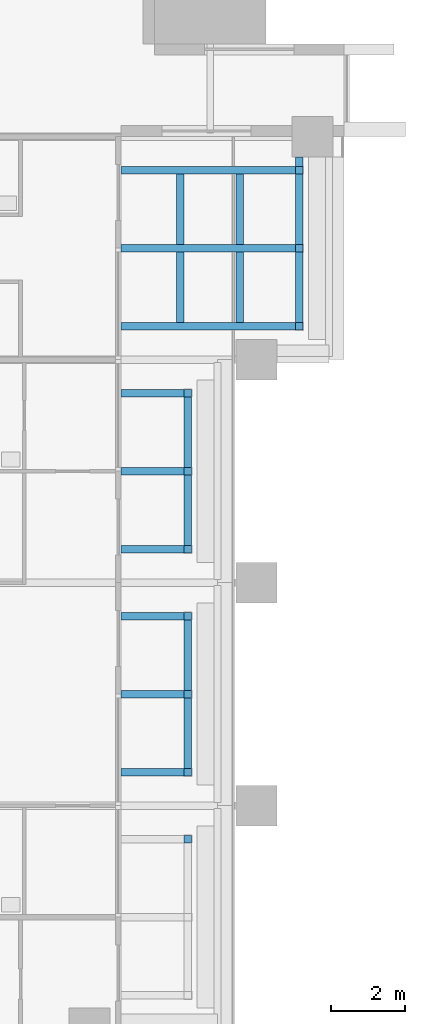
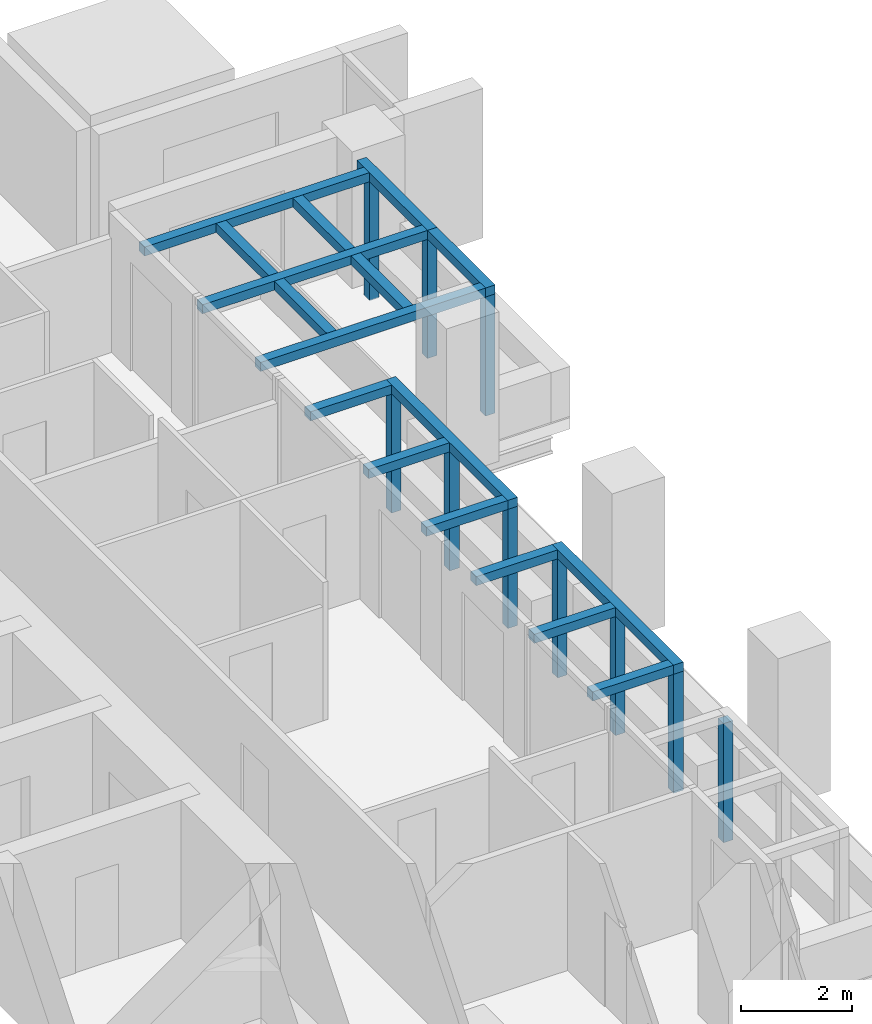
# One storey, part 13 of 16: 27 discrete accessories.
"""IFC4 building model written with IfcOpenShell, lengths in metres."""

from ifc_helpers import new_model, si_unit, direction, frame, origin, origin_2d, place, context, subcontext, project, spatial, rectangle, extrude, element, save


model = new_model("IFC4")

# Units and contexts
model_context = context("Model", 3, precision=1e-05, world=origin(), true_north=direction((0.0, 1.0)))
body_context = subcontext(model_context, "Body", "Model", "MODEL_VIEW")
ifc_project = project(units=[si_unit("LENGTHUNIT", "METRE"), si_unit("AREAUNIT", "SQUARE_METRE"), si_unit("VOLUMEUNIT", "CUBIC_METRE"), si_unit("PLANEANGLEUNIT", "RADIAN"), si_unit("MASSUNIT", "GRAM", prefix="KILO")], contexts=[model_context])

# Site, building, storey
site_placement = place(None, origin())
site = spatial("IfcSite", under=ifc_project, at=site_placement, CompositionType="ELEMENT")
building_placement = place(site_placement, origin())
building = spatial("IfcBuilding", under=site, at=building_placement, Name="Amberfall Residences", CompositionType="ELEMENT")
storey_placement = place(building_placement, frame((0.0, 0.0, 108.39990234375)))
storey = spatial("IfcBuildingStorey", under=building, at=storey_placement, Name="L29", CompositionType="ELEMENT", Elevation=108.39990234375)

# Discrete accessories
for number, where, z_axis, x_axis, name in (
    (1, (95.800048828125, 41.5, 0.000244140625), (0.0, 0.0, 1.0), (1.0, 0.0, 0.0), "Trellis post L29 E2.3"),
    (2, (95.800048828125, 43.300048828125, 0.000244140625), (0.0, 0.0, 1.0), (1.0, 0.0, 0.0), "Trellis post L29 E3.1"),
    (3, (95.800048828125, 45.39990234375, 0.000244140625), (0.0, 0.0, 1.0), (1.0, 0.0, 0.0), "Trellis post L29 E3.2"),
    (4, (95.800048828125, 47.5, 0.000244140625), (0.0, 0.0, 1.0), (1.0, 0.0, 0.0), "Trellis post L29 E3.3"),
):
    element("IfcDiscreteAccessory", number, at=place(storey_placement, frame(where, z_axis=z_axis, x_axis=x_axis)), inside=storey, Name=name, ObjectType="TRELLIS POST", PredefinedType="USERDEFINED", context=body_context, shape_type="SweptSolid", body=[
        extrude(rectangle(XDim=0.199951171875, YDim=0.199951171875, at=origin_2d()), origin(), (0.0, 0.0, 1.0), 2.6298828125),
    ])
discrete_accessory_1_placement = place(storey_placement, frame((95.800048828125, 45.39990234375, 2.6298828125), z_axis=(0.0, 0.0, 1.0), x_axis=(0.0, 1.0, 0.0)))
element("IfcDiscreteAccessory", 5, at=discrete_accessory_1_placement, inside=storey, Name="Trellis beam L29 E3.e1", ObjectType="TRELLIS BEAM", PredefinedType="USERDEFINED", context=body_context, shape_type="SweptSolid", body=[
    extrude(rectangle(XDim=4.39990234375, YDim=0.199951171875, at=origin_2d()), origin(), (0.0, 0.0, 1.0), 0.199951171875),
])
for number, where, z_axis, x_axis, name in (
    (6, (94.85009765625, 43.300048828125, 2.6298828125), (0.0, 0.0, 1.0), (-1.0, 0.0, 0.0), "Trellis beam L29 E3.b1"),
    (7, (94.85009765625, 45.39990234375, 2.6298828125), (0.0, 0.0, 1.0), (-1.0, 0.0, 0.0), "Trellis beam L29 E3.b2"),
    (8, (94.85009765625, 47.5, 2.6298828125), (0.0, 0.0, 1.0), (-1.0, 0.0, 0.0), "Trellis beam L29 E3.b3"),
):
    element("IfcDiscreteAccessory", number, at=place(storey_placement, frame(where, z_axis=z_axis, x_axis=x_axis)), inside=storey, Name=name, ObjectType="TRELLIS BEAM", PredefinedType="USERDEFINED", context=body_context, shape_type="SweptSolid", body=[
        extrude(rectangle(XDim=1.699951171875, YDim=0.199951171875, at=origin_2d()), origin(), (0.0, 0.0, 1.0), 0.199951171875),
    ])
for number, where, z_axis, x_axis, name in (
    (9, (95.800048828125, 49.300048828125, 0.000244140625), (0.0, 0.0, 1.0), (1.0, 0.0, 0.0), "Trellis post L29 E4.1"),
    (10, (95.800048828125, 51.39990234375, 0.000244140625), (0.0, 0.0, 1.0), (1.0, 0.0, 0.0), "Trellis post L29 E4.2"),
    (11, (95.800048828125, 53.5, 0.000244140625), (0.0, 0.0, 1.0), (1.0, 0.0, 0.0), "Trellis post L29 E4.3"),
):
    element("IfcDiscreteAccessory", number, at=place(storey_placement, frame(where, z_axis=z_axis, x_axis=x_axis)), inside=storey, Name=name, ObjectType="TRELLIS POST", PredefinedType="USERDEFINED", context=body_context, shape_type="SweptSolid", body=[
        extrude(rectangle(XDim=0.199951171875, YDim=0.199951171875, at=origin_2d()), origin(), (0.0, 0.0, 1.0), 2.6298828125),
    ])
discrete_accessory_2_placement = place(storey_placement, frame((95.800048828125, 51.39990234375, 2.6298828125), z_axis=(0.0, 0.0, 1.0), x_axis=(0.0, 1.0, 0.0)))
element("IfcDiscreteAccessory", 12, at=discrete_accessory_2_placement, inside=storey, Name="Trellis beam L29 E4.e1", ObjectType="TRELLIS BEAM", PredefinedType="USERDEFINED", context=body_context, shape_type="SweptSolid", body=[
    extrude(rectangle(XDim=4.39990234375, YDim=0.199951171875, at=origin_2d()), origin(), (0.0, 0.0, 1.0), 0.199951171875),
])
for number, where, z_axis, x_axis, name in (
    (13, (94.85009765625, 49.300048828125, 2.6298828125), (0.0, 0.0, 1.0), (-1.0, 0.0, 0.0), "Trellis beam L29 E4.b1"),
    (14, (94.85009765625, 51.39990234375, 2.6298828125), (0.0, 0.0, 1.0), (-1.0, 0.0, 0.0), "Trellis beam L29 E4.b2"),
    (15, (94.85009765625, 53.5, 2.6298828125), (0.0, 0.0, 1.0), (-1.0, 0.0, 0.0), "Trellis beam L29 E4.b3"),
):
    element("IfcDiscreteAccessory", number, at=place(storey_placement, frame(where, z_axis=z_axis, x_axis=x_axis)), inside=storey, Name=name, ObjectType="TRELLIS BEAM", PredefinedType="USERDEFINED", context=body_context, shape_type="SweptSolid", body=[
        extrude(rectangle(XDim=1.699951171875, YDim=0.199951171875, at=origin_2d()), origin(), (0.0, 0.0, 1.0), 0.199951171875),
    ])
for number, where, z_axis, x_axis, name in (
    (16, (98.800048828125, 55.300048828125, 0.000244140625), (0.0, 0.0, 1.0), (1.0, 0.0, 0.0), "Trellis post L29 E5.1"),
    (17, (98.800048828125, 57.39990234375, 0.000244140625), (0.0, 0.0, 1.0), (1.0, 0.0, 0.0), "Trellis post L29 E5.2"),
    (18, (98.800048828125, 59.5, 0.000244140625), (0.0, 0.0, 1.0), (1.0, 0.0, 0.0), "Trellis post L29 E5.3"),
):
    element("IfcDiscreteAccessory", number, at=place(storey_placement, frame(where, z_axis=z_axis, x_axis=x_axis)), inside=storey, Name=name, ObjectType="TRELLIS POST", PredefinedType="USERDEFINED", context=body_context, shape_type="SweptSolid", body=[
        extrude(rectangle(XDim=0.199951171875, YDim=0.199951171875, at=origin_2d()), origin(), (0.0, 0.0, 1.0), 2.6298828125),
    ])
discrete_accessory_3_placement = place(storey_placement, frame((98.800048828125, 58.574951171875, 2.6298828125), z_axis=(0.0, 0.0, 1.0), x_axis=(0.0, 1.0, 0.0)))
element("IfcDiscreteAccessory", 19, at=discrete_accessory_3_placement, inside=storey, Name="Trellis beam L29 E5.e1", ObjectType="TRELLIS BEAM", PredefinedType="USERDEFINED", context=body_context, shape_type="SweptSolid", body=[
    extrude(rectangle(XDim=2.550048828125, YDim=0.199951171875, at=origin_2d()), origin(), (0.0, 0.0, 1.0), 0.199951171875),
])
discrete_accessory_4_placement = place(storey_placement, frame((98.800048828125, 56.25, 2.6298828125), z_axis=(0.0, 0.0, 1.0), x_axis=(0.0, 1.0, 0.0)))
element("IfcDiscreteAccessory", 20, at=discrete_accessory_4_placement, inside=storey, Name="Trellis beam L29 E5.e1.2", ObjectType="TRELLIS BEAM", PredefinedType="USERDEFINED", context=body_context, shape_type="SweptSolid", body=[
    extrude(rectangle(XDim=2.10009765625, YDim=0.199951171875, at=origin_2d()), origin(), (0.0, 0.0, 1.0), 0.199951171875),
])
for number, where, z_axis, x_axis, name in (
    (21, (97.199951171875, 56.35009765625, 2.6298828125), (0.0, 0.0, 1.0), (0.0, 1.0, 0.0), "Trellis beam L29 E5.c1.1"),
    (22, (97.199951171875, 58.449951171875, 2.6298828125), (0.0, 0.0, 1.0), (0.0, 1.0, 0.0), "Trellis beam L29 E5.c1.2"),
    (23, (95.60009765625, 56.35009765625, 2.6298828125), (0.0, 0.0, 1.0), (0.0, 1.0, 0.0), "Trellis beam L29 E5.c2.1"),
    (24, (95.60009765625, 58.449951171875, 2.6298828125), (0.0, 0.0, 1.0), (0.0, 1.0, 0.0), "Trellis beam L29 E5.c2.2"),
):
    element("IfcDiscreteAccessory", number, at=place(storey_placement, frame(where, z_axis=z_axis, x_axis=x_axis)), inside=storey, Name=name, ObjectType="TRELLIS BEAM", PredefinedType="USERDEFINED", context=body_context, shape_type="SweptSolid", body=[
        extrude(rectangle(XDim=1.89990234375, YDim=0.199951171875, at=origin_2d()), origin(), (0.0, 0.0, 1.0), 0.199951171875),
    ])
for number, where, z_axis, x_axis, name in (
    (25, (96.35009765625, 55.300048828125, 2.6298828125), (0.0, 0.0, 1.0), (-1.0, 0.0, 0.0), "Trellis beam L29 E5.b1"),
    (26, (96.35009765625, 57.39990234375, 2.6298828125), (0.0, 0.0, 1.0), (-1.0, 0.0, 0.0), "Trellis beam L29 E5.b2"),
    (27, (96.35009765625, 59.5, 2.6298828125), (0.0, 0.0, 1.0), (-1.0, 0.0, 0.0), "Trellis beam L29 E5.b3"),
):
    element("IfcDiscreteAccessory", number, at=place(storey_placement, frame(where, z_axis=z_axis, x_axis=x_axis)), inside=storey, Name=name, ObjectType="TRELLIS BEAM", PredefinedType="USERDEFINED", context=body_context, shape_type="SweptSolid", body=[
        extrude(rectangle(XDim=4.699951171875, YDim=0.199951171875, at=origin_2d()), origin(), (0.0, 0.0, 1.0), 0.199951171875),
    ])

save(model, "model.ifc")
